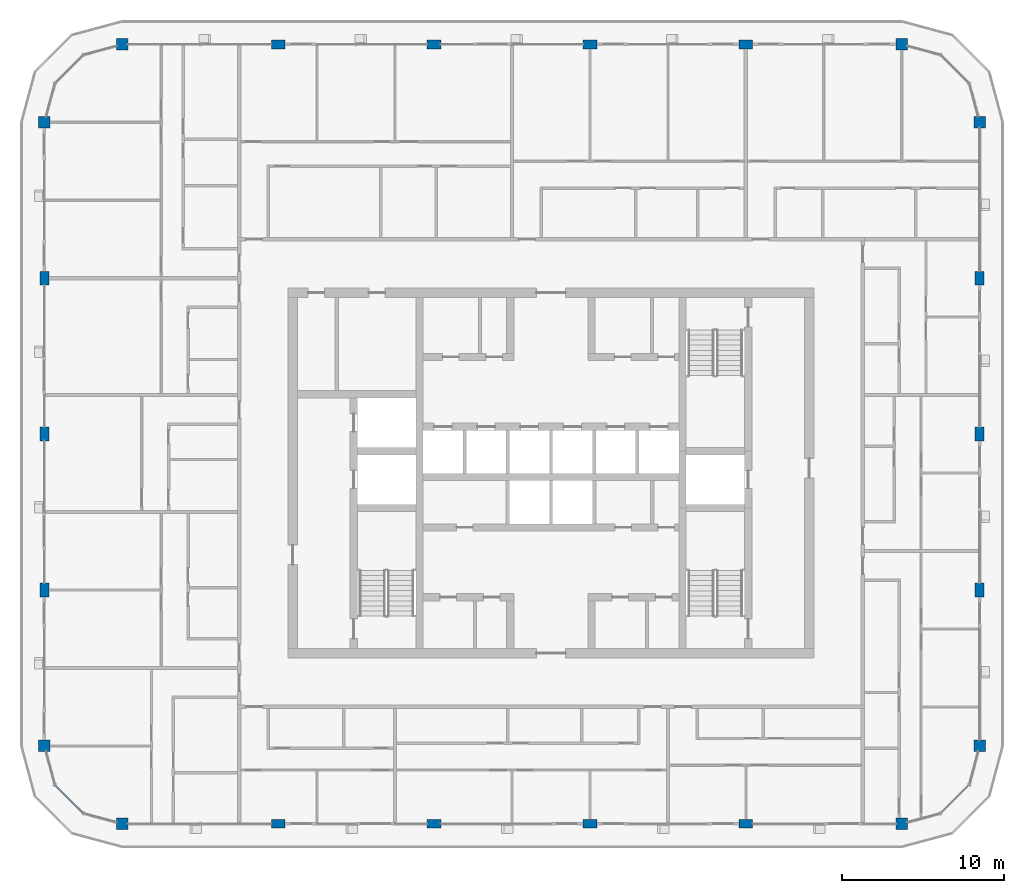
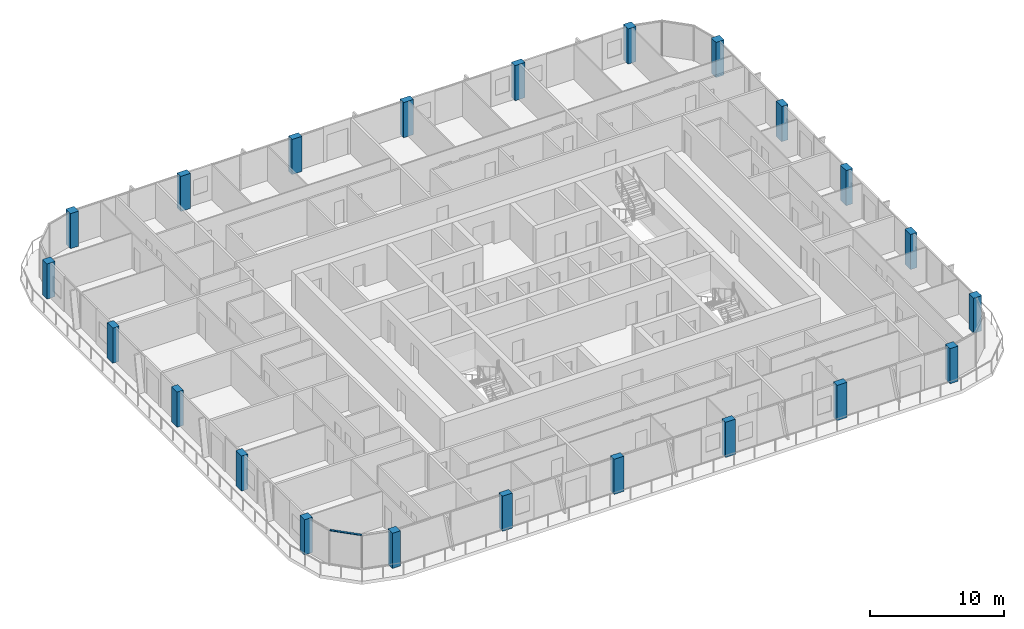
# One storey, part 1 of 22: 22 columns, 1 member, 1 element without a shape of its own.
"""IFC4 building model written with IfcOpenShell, lengths in metres."""

import ifcopenshell
import ifcopenshell.guid

model = None  # the IFC model being written
_history = None  # IfcOwnerHistory: only IFC2X3 demands one
_inside = {}  # id of a spatial element -> (the spatial element, [elements in it])
_under = {}  # id of a project, library or spatial element -> (it, [spatial elements below it])
_declared = {}  # id of a project -> (the project, [libraries it declares])
_typed = {}  # id of a type object -> (the type object, [elements of that type])
_made_of = {}  # id of a material, layer set ... -> (it, [elements and type objects made of it])


def new_model(schema):
    """Start an empty IFC model of exactly this schema.

    Asked for "IFC4X3", IfcOpenShell would pick the latest addendum, in which some entities
    have other attributes; the version numbers below select the first issue.
    IFC2X3 requires an IfcOwnerHistory on every rooted entity: one is made here for all.
    """
    global model, _history
    if schema == "IFC4X3":
        model = ifcopenshell.file(schema_version=(4, 3, 0, 0))
    else:
        model = ifcopenshell.file(schema=schema)
    _inside.clear()
    _under.clear()
    _declared.clear()
    _typed.clear()
    _made_of.clear()
    _history = None
    if model.schema == "IFC2X3":
        org = make("IfcOrganization", Name="unknown")
        user = make(
            "IfcPersonAndOrganization",
            ThePerson=make("IfcPerson", FamilyName="unknown"),
            TheOrganization=org,
        )
        app = make(
            "IfcApplication",
            ApplicationDeveloper=org,
            Version="unknown",
            ApplicationFullName="unknown",
            ApplicationIdentifier="unknown",
        )
        _history = make(
            "IfcOwnerHistory",
            OwningUser=user,
            OwningApplication=app,
            ChangeAction="ADDED",
            CreationDate=0,
        )
    return model


def make(cls, **values):
    """One entity of the class cls with the attributes given. An attribute that is None is left unset."""
    return model.create_entity(
        cls, **{name: value for name, value in values.items() if value is not None}
    )


def rooted(cls, **values):
    """An entity with a GlobalId (a new one), such as an element, a storey or a relation."""
    return make(cls, GlobalId=ifcopenshell.guid.new(), OwnerHistory=_history, **values)


def si_unit(unit_type, name, prefix=None):
    """IfcSIUnit, for example si_unit("LENGTHUNIT", "METRE", prefix="MILLI")."""
    return make("IfcSIUnit", UnitType=unit_type, Prefix=prefix, Name=name)


def assignment(units):
    """IfcUnitAssignment: the units of a project."""
    return None if units is None else make("IfcUnitAssignment", Units=units)


def point(xyz):
    """IfcCartesianPoint."""
    return None if xyz is None else make("IfcCartesianPoint", Coordinates=xyz)


def direction(xyz):
    """IfcDirection."""
    return None if xyz is None else make("IfcDirection", DirectionRatios=xyz)


def frame(location, z_axis=None, x_axis=None):
    """IfcAxis2Placement3D, a coordinate frame: its origin and axes. An axis left out is left unset."""
    return make(
        "IfcAxis2Placement3D",
        Location=point(location),
        Axis=direction(z_axis),
        RefDirection=direction(x_axis),
    )


def frame_2d(location, x_axis=None):
    """IfcAxis2Placement2D, a coordinate frame in the plane: its origin and x axis."""
    return make(
        "IfcAxis2Placement2D", Location=point(location), RefDirection=direction(x_axis)
    )


def origin():
    """The frame at (0, 0, 0) with its axes left unset."""
    return frame((0.0, 0.0, 0.0))


def origin_2d():
    """The frame at (0, 0) in the plane with its x axis left unset."""
    return frame_2d((0.0, 0.0))


def place(relative_to, where):
    """IfcLocalPlacement: puts the frame where relative to a parent placement (None: the world)."""
    return make(
        "IfcLocalPlacement", PlacementRelTo=relative_to, RelativePlacement=where
    )


def context(
    kind, dimensions, precision=None, world=None, true_north=None, identifier=None
):
    """IfcGeometricRepresentationContext, for example the 3D "Model" context."""
    return make(
        "IfcGeometricRepresentationContext",
        ContextIdentifier=identifier,
        ContextType=kind,
        CoordinateSpaceDimension=dimensions,
        Precision=precision,
        WorldCoordinateSystem=world,
        TrueNorth=true_north,
    )


def subcontext(parent, identifier, kind, view, scale=None):
    """IfcGeometricRepresentationSubContext, for example "Body" below "Model"."""
    return make(
        "IfcGeometricRepresentationSubContext",
        ContextIdentifier=identifier,
        ContextType=kind,
        ParentContext=parent,
        TargetScale=scale,
        TargetView=view,
    )


def project(units=None, contexts=None):
    """IfcProject with its units and contexts."""
    return rooted(
        "IfcProject",
        Name="project",
        RepresentationContexts=contexts,
        UnitsInContext=assignment(units),
    )


def spatial(cls, under=None, at=None, **own):
    """A site, building, storey or space (cls), placed at a placement, below another one or the project."""
    s = rooted(cls, ObjectPlacement=at, **own)
    if under is not None:
        _under.setdefault(under.id(), (under, []))[1].append(s)
    return s


def profile(cls, at=None, kind="AREA", **sizes):
    """A parametric profile (cls). Its sizes go by their IFC names, for example OverallWidth=200.0."""
    return make(cls, ProfileType=kind, Position=at, **sizes)


def rectangle(**sizes):
    """IfcRectangleProfileDef."""
    return profile("IfcRectangleProfileDef", **sizes)


def extrude(swept, where, along, depth):
    """IfcExtrudedAreaSolid: the profile swept, set in the frame where, extruded along a direction by depth."""
    return make(
        "IfcExtrudedAreaSolid",
        SweptArea=swept,
        Position=where,
        ExtrudedDirection=direction(along),
        Depth=depth,
    )


def shape(context_of_items, identifier, shape_type, items):
    """IfcShapeRepresentation: the items that make up one representation, for example the "Body"."""
    return make(
        "IfcShapeRepresentation",
        ContextOfItems=context_of_items,
        RepresentationIdentifier=identifier,
        RepresentationType=shape_type,
        Items=items,
    )


def material(Name=None, Category=None):
    """IfcMaterial."""
    return make("IfcMaterial", Name=Name, Category=Category)


def layer(
    of_material, thickness, ventilated=None, Name=None, Category=None, Priority=None
):
    """IfcMaterialLayer: one layer of a wall or slab, of a material (None: an air gap)."""
    return make(
        "IfcMaterialLayer",
        Material=of_material,
        LayerThickness=thickness,
        IsVentilated=ventilated,
        Name=Name,
        Category=Category,
        Priority=Priority,
    )


def layer_set(layers, Name=None):
    """IfcMaterialLayerSet."""
    return make("IfcMaterialLayerSet", MaterialLayers=layers, LayerSetName=Name)


def material_profile(
    of_material, cross_section, Name=None, Category=None, Priority=None
):
    """IfcMaterialProfile: a cross section and its material."""
    return make(
        "IfcMaterialProfile",
        Name=Name,
        Material=of_material,
        Profile=cross_section,
        Priority=Priority,
        Category=Category,
    )


def profile_set(profiles, Name=None, composite=None):
    """IfcMaterialProfileSet."""
    return make(
        "IfcMaterialProfileSet",
        Name=Name,
        MaterialProfiles=profiles,
        CompositeProfile=composite,
    )


def made_of(thing, what):
    """Note that an element or type object is made of a material, layer set ...; save() writes the relation."""
    if what is not None:
        _made_of.setdefault(what.id(), (what, []))[1].append(thing)
    return thing


def type_object(cls, material=None, **own):
    """A type object (cls), such as IfcWallType, which elements share."""
    return made_of(rooted(cls, **own), material)


def element(
    cls,
    number,
    at=None,
    inside=None,
    cuts=None,
    type_object=None,
    material=None,
    context=None,
    identifier="Body",
    shape_type=None,
    held_by="IfcProductDefinitionShape",
    body=None,
    shapes=None,
    **own,
):
    """One element of the class cls, such as IfcWall. Its Tag is "e" and its number.

    at: its placement. inside: the storey or other place that contains it. cuts: it is an
    opening in that element (IfcRelVoidsElement). A single representation is given by context,
    identifier, shape_type and body (its items); several are given by shapes. held_by: the class
    of the entity that holds the representations. save() writes the other relations.
    """
    e = rooted(cls, Tag="e%d" % number, ObjectPlacement=at, **own)
    if body is not None:
        shapes = [shape(context, identifier, shape_type, body)]
    if shapes is not None:
        e.Representation = make(held_by, Representations=shapes)
    if inside is not None:
        _inside.setdefault(inside.id(), (inside, []))[1].append(e)
    if cuts is not None:
        rooted(
            "IfcRelVoidsElement", RelatingBuildingElement=cuts, RelatedOpeningElement=e
        )
    if type_object is not None:
        _typed.setdefault(type_object.id(), (type_object, []))[1].append(e)
    return made_of(e, material)


def aggregate(whole, parts):
    """IfcRelAggregates: a whole, such as a stair, and the parts it consists of."""
    return rooted("IfcRelAggregates", RelatingObject=whole, RelatedObjects=parts)


def save(model, path):
    """Write the relations noted so far, then the file.

    IfcRelAggregates (storeys below a building ...), IfcRelContainedInSpatialStructure (elements
    in a storey), IfcRelDefinesByType, IfcRelAssociatesMaterial and IfcRelDeclares: one each for
    every whole, place, type object, material and project.
    """
    for whole, parts in _under.values():
        aggregate(whole, parts)
    for where, things in _inside.values():
        rooted(
            "IfcRelContainedInSpatialStructure",
            RelatedElements=things,
            RelatingStructure=where,
        )
    for kind, things in _typed.values():
        rooted("IfcRelDefinesByType", RelatedObjects=things, RelatingType=kind)
    for what, things in _made_of.values():
        rooted("IfcRelAssociatesMaterial", RelatedObjects=things, RelatingMaterial=what)
    for by, libraries in _declared.values():
        rooted("IfcRelDeclares", RelatingContext=by, RelatedDefinitions=libraries)
    model.write(path)


model = new_model("IFC4")

# Units and contexts
model_context = context("Model", 3, precision=1e-05, world=origin(), true_north=direction((0.0, 1.0)))
body_context = subcontext(model_context, "Body", "Model", "MODEL_VIEW")
ifc_project = project(units=[si_unit("LENGTHUNIT", "METRE"), si_unit("AREAUNIT", "SQUARE_METRE"), si_unit("VOLUMEUNIT", "CUBIC_METRE"), si_unit("PLANEANGLEUNIT", "RADIAN"), si_unit("MASSUNIT", "GRAM", prefix="KILO")], contexts=[model_context])

# Site, building, storey
site_placement = place(None, origin())
site = spatial("IfcSite", under=ifc_project, at=site_placement, CompositionType="ELEMENT")
building_placement = place(site_placement, origin())
building = spatial("IfcBuilding", under=site, at=building_placement, Name="Madar Terraces", CompositionType="ELEMENT")
storey_placement = place(building_placement, frame((0.0, 0.0, 249.199951171875)))
storey = spatial("IfcBuildingStorey", under=building, at=storey_placement, Name="L65", CompositionType="ELEMENT", Elevation=249.199951171875)

# Columns
ifc_material_1 = material(Name="Concrete C55/67", Category="concrete")
ifc_material_profile_1 = material_profile(ifc_material_1, rectangle(XDim=0.85009765625, YDim=0.550048828125, at=origin_2d()), Name="CC5 RC 850x550")
ifc_profile_set_1 = profile_set([ifc_material_profile_1], Name="Concrete C55/67")
column_type_1 = type_object("IfcColumnType", Name="CC5 RC 850x550", PredefinedType="COLUMN", material=ifc_profile_set_1)
for number, where, z_axis, x_axis, name in (
    (1, (14.39990234375, 4.800048828125, 0.0), (0.0, 0.0, 1.0), (1.0, 0.0, 0.0), "Perimeter column S2"),
    (2, (24.0, 4.800048828125, 0.0), (0.0, 0.0, 1.0), (1.0, 0.0, 0.0), "Perimeter column S3"),
    (3, (33.60009765625, 4.800048828125, 0.0), (0.0, 0.0, 1.0), (1.0, 0.0, 0.0), "Perimeter column S4"),
    (4, (43.199951171875, 4.800048828125, 0.0), (0.0, 0.0, 1.0), (1.0, 0.0, 0.0), "Perimeter column S5"),
    (5, (57.60009765625, 19.199951171875, 0.0), (0.0, 0.0, 1.0), (0.0, 1.0, 0.0), "Perimeter column E2"),
    (6, (57.60009765625, 28.800048828125, 0.0), (0.0, 0.0, 1.0), (0.0, 1.0, 0.0), "Perimeter column E3"),
    (7, (57.60009765625, 38.39990234375, 0.0), (0.0, 0.0, 1.0), (0.0, 1.0, 0.0), "Perimeter column E4"),
    (8, (43.199951171875, 52.800048828125, 0.0), (0.0, 0.0, 1.0), (1.0, 0.0, 0.0), "Perimeter column N2"),
    (9, (33.60009765625, 52.800048828125, 0.0), (0.0, 0.0, 1.0), (1.0, 0.0, 0.0), "Perimeter column N3"),
    (10, (24.0, 52.800048828125, 0.0), (0.0, 0.0, 1.0), (1.0, 0.0, 0.0), "Perimeter column N4"),
    (11, (14.39990234375, 52.800048828125, 0.0), (0.0, 0.0, 1.0), (1.0, 0.0, 0.0), "Perimeter column N5"),
    (12, (0.0, 38.39990234375, 0.0), (0.0, 0.0, 1.0), (0.0, 1.0, 0.0), "Perimeter column W2"),
    (13, (0.0, 28.800048828125, 0.0), (0.0, 0.0, 1.0), (0.0, 1.0, 0.0), "Perimeter column W3"),
    (14, (0.0, 19.199951171875, 0.0), (0.0, 0.0, 1.0), (0.0, 1.0, 0.0), "Perimeter column W4"),
):
    element("IfcColumn", number, at=place(storey_placement, frame(where, z_axis=z_axis, x_axis=x_axis)), inside=storey, type_object=column_type_1, Name=name, PredefinedType="COLUMN", context=body_context, shape_type="SweptSolid", body=[
        extrude(rectangle(XDim=0.85009765625, YDim=0.550048828125, at=origin_2d()), origin(), (0.0, 0.0, 1.0), 3.199951171875),
    ])
ifc_material_2 = material(Name="Concrete C55/67", Category="concrete")
ifc_material_profile_2 = material_profile(ifc_material_2, rectangle(XDim=0.699951171875, YDim=0.699951171875, at=origin_2d()), Name="KC5 RC 700x700")
ifc_profile_set_2 = profile_set([ifc_material_profile_2], Name="Concrete C55/67")
column_type_2 = type_object("IfcColumnType", Name="KC5 RC 700x700", PredefinedType="COLUMN", material=ifc_profile_set_2)
for number, where, z_axis, x_axis, name in (
    (15, (4.800048828125, 4.800048828125, 0.0), (0.0, 0.0, 1.0), (1.0, 0.0, 0.0), "Perimeter column S1"),
    (16, (52.800048828125, 4.800048828125, 0.0), (0.0, 0.0, 1.0), (1.0, 0.0, 0.0), "Perimeter column S6"),
    (17, (57.60009765625, 9.60009765625, 0.0), (0.0, 0.0, 1.0), (1.0, 0.0, 0.0), "Perimeter column E1"),
    (18, (57.60009765625, 48.0, 0.0), (0.0, 0.0, 1.0), (1.0, 0.0, 0.0), "Perimeter column E5"),
    (19, (52.800048828125, 52.800048828125, 0.0), (0.0, 0.0, 1.0), (1.0, 0.0, 0.0), "Perimeter column N1"),
    (20, (4.800048828125, 52.800048828125, 0.0), (0.0, 0.0, 1.0), (1.0, 0.0, 0.0), "Perimeter column N6"),
    (21, (0.0, 48.0, 0.0), (0.0, 0.0, 1.0), (1.0, 0.0, 0.0), "Perimeter column W1"),
    (22, (0.0, 9.60009765625, 0.0), (0.0, 0.0, 1.0), (1.0, 0.0, 0.0), "Perimeter column W5"),
):
    element("IfcColumn", number, at=place(storey_placement, frame(where, z_axis=z_axis, x_axis=x_axis)), inside=storey, type_object=column_type_2, Name=name, PredefinedType="COLUMN", context=body_context, shape_type="SweptSolid", body=[
        extrude(rectangle(XDim=0.699951171875, YDim=0.699951171875, at=origin_2d()), origin(), (0.0, 0.0, 1.0), 3.199951171875),
    ])

# Curtain wall, member
ifc_material_3 = material(Name="Glass, ceramic frit dark grey, with black aluminium frame", Category="aluminium")
ifc_layer = layer(ifc_material_3, 0.199951171875)
ifc_layer_set = layer_set([ifc_layer], Name="Facade curtain wall, fritted glass")
curtain_wall_type = type_object("IfcCurtainWallType", Name="Facade curtain wall, fritted glass", PredefinedType="NOTDEFINED", material=ifc_layer_set)
curtain_wall_placement = place(storey_placement, origin())
curtain_wall = element("IfcCurtainWall", 23, at=curtain_wall_placement, inside=storey, type_object=curtain_wall_type, Name="Outer skin curtain wall south-west corner", PredefinedType="NOTDEFINED")
ifc_material_4 = material(Name="Aluminium, black anodised", Category="aluminium")
ifc_material_profile_3 = material_profile(ifc_material_4, rectangle(XDim=0.1201171875, YDim=0.06005859375, at=origin_2d()), Name="Facade transom 60x120")
ifc_profile_set_3 = profile_set([ifc_material_profile_3], Name="Aluminium, black anodised")
member_type = type_object("IfcMemberType", Name="Facade transom 60x120", PredefinedType="USERDEFINED", material=ifc_profile_set_3)
member_placement = place(storey_placement, frame((0.664306640625, 7.1787109375, 3.170166015625), z_axis=(0.707157125196, -0.707056433593, 0.0), x_axis=(0.707056433593, 0.707157125196, 0.0)))
member = element("IfcMember", 24, at=member_placement, type_object=member_type, Name="Transom 2", ObjectType="TRANSOM", PredefinedType="USERDEFINED", context=body_context, shape_type="SweptSolid", body=[
    extrude(rectangle(XDim=0.1201171875, YDim=0.06005859375, at=origin_2d()), origin(), (0.0, 0.0, 1.0), 2.424560546875),
])
aggregate(curtain_wall, [member])

save(model, "model.ifc")
